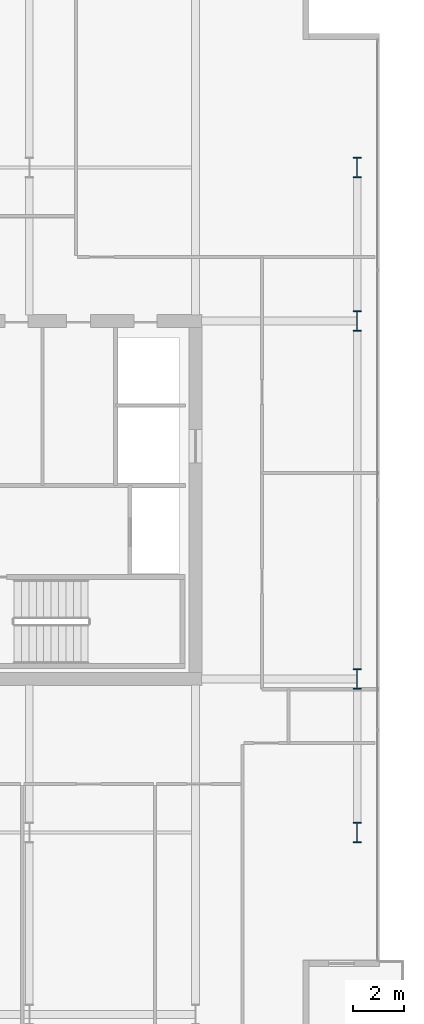
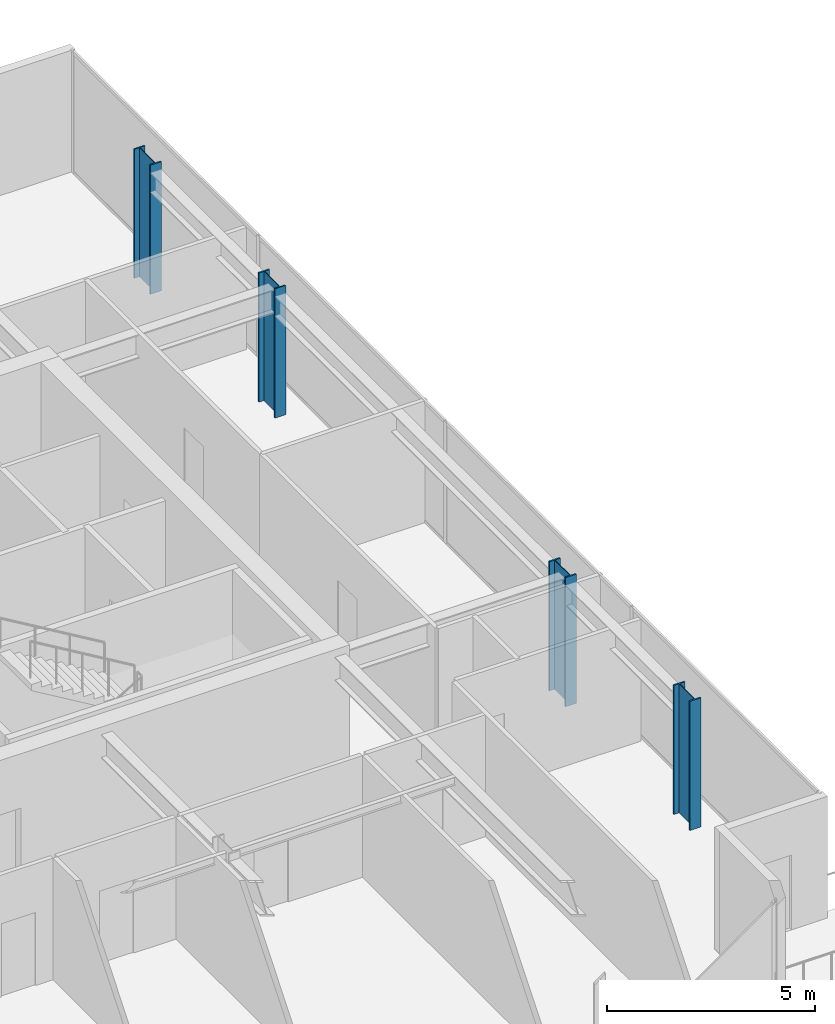
# One storey, part 2 of 24: 4 columns.
"""IFC4 building model written with IfcOpenShell, lengths in metres."""

from ifc_helpers import new_model, si_unit, direction, frame, origin, origin_2d, place, context, subcontext, project, spatial, i_section, extrude, material, material_profile, profile_set, type_object, element, save


model = new_model("IFC4")

# Units and contexts
model_context = context("Model", 3, precision=1e-05, world=origin(), true_north=direction((0.0, 1.0)))
body_context = subcontext(model_context, "Body", "Model", "MODEL_VIEW")
ifc_project = project(units=[si_unit("LENGTHUNIT", "METRE"), si_unit("AREAUNIT", "SQUARE_METRE"), si_unit("VOLUMEUNIT", "CUBIC_METRE"), si_unit("PLANEANGLEUNIT", "RADIAN"), si_unit("MASSUNIT", "GRAM", prefix="KILO")], contexts=[model_context])

# Site, building, storey
site_placement = place(None, origin())
site = spatial("IfcSite", under=ifc_project, at=site_placement, CompositionType="ELEMENT")
building_placement = place(site_placement, origin())
building = spatial("IfcBuilding", under=site, at=building_placement, Name="Putna Gate Headquarters", CompositionType="ELEMENT")
storey_placement = place(building_placement, frame((0.0, 0.0, 240.39990234375)))
storey = spatial("IfcBuildingStorey", under=building, at=storey_placement, Name="L60", CompositionType="ELEMENT", Elevation=240.39990234375)

# Columns
ifc_material = material(Name="Steel S460M", Category="steel")
ifc_material_profile = material_profile(ifc_material, i_section(OverallWidth=0.302978515625, OverallDepth=0.81396484375, WebThickness=0.02099609375, FlangeThickness=0.0400390625, at=origin_2d()), Name="Steel S460M")
ifc_profile_set = profile_set([ifc_material_profile], Name="Steel S460M")
column_type = type_object("IfcColumnType", Name="COL-STL-HEM800-EXT", PredefinedType="COLUMN", material=ifc_profile_set)
for number, where, z_axis, x_axis, name in (
    (1, (71.320068359375, 13.0, 0.0), (0.0, 0.0, 1.0), (1.0, 0.0, 0.0), "L60 Column CP-E13"),
    (2, (71.320068359375, 19.0, 0.0), (0.0, 0.0, 1.0), (1.0, 0.0, 0.0), "L60 Column CP-E19"),
    (3, (71.320068359375, 33.0, 0.0), (0.0, 0.0, 1.0), (1.0, 0.0, 0.0), "L60 Column CP-E33"),
    (4, (71.320068359375, 39.0, 0.0), (0.0, 0.0, 1.0), (1.0, 0.0, 0.0), "L60 Column CP-E39"),
):
    element("IfcColumn", number, at=place(storey_placement, frame(where, z_axis=z_axis, x_axis=x_axis)), inside=storey, type_object=column_type, Name=name, PredefinedType="COLUMN", context=body_context, shape_type="SweptSolid", body=[
        extrude(i_section(OverallWidth=0.302978515625, OverallDepth=0.81396484375, WebThickness=0.02099609375, FlangeThickness=0.0400390625, at=origin_2d()), origin(), (0.0, 0.0, 1.0), 3.800048828125),
    ])

save(model, "model.ifc")
